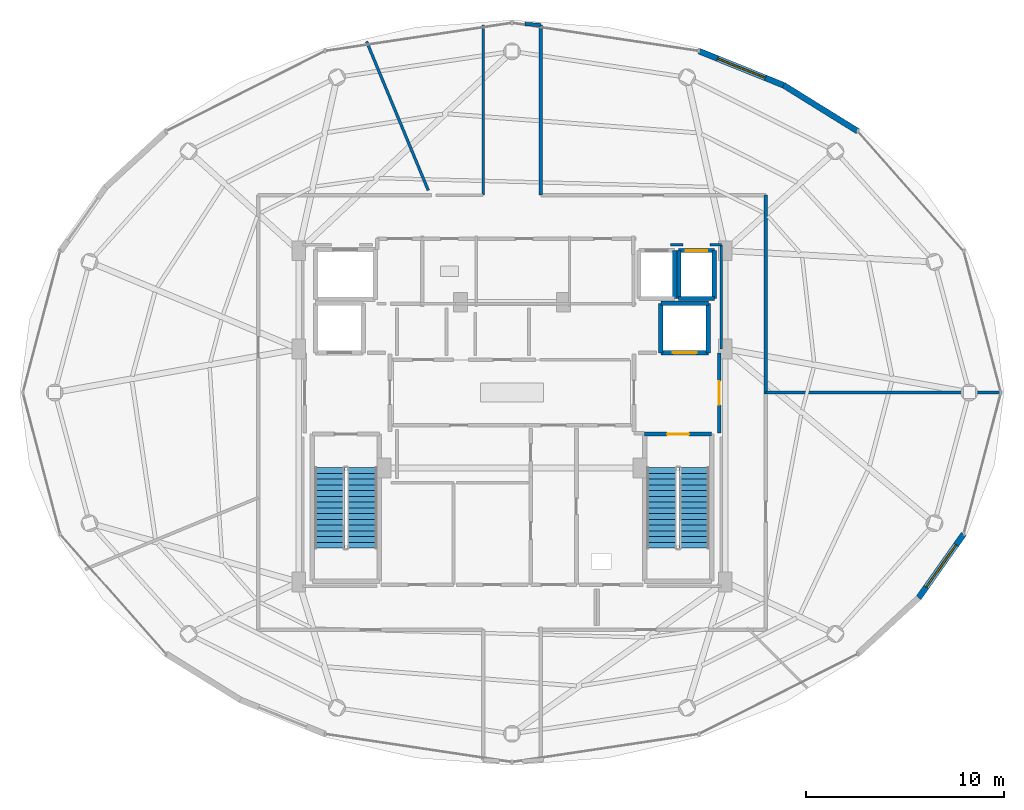
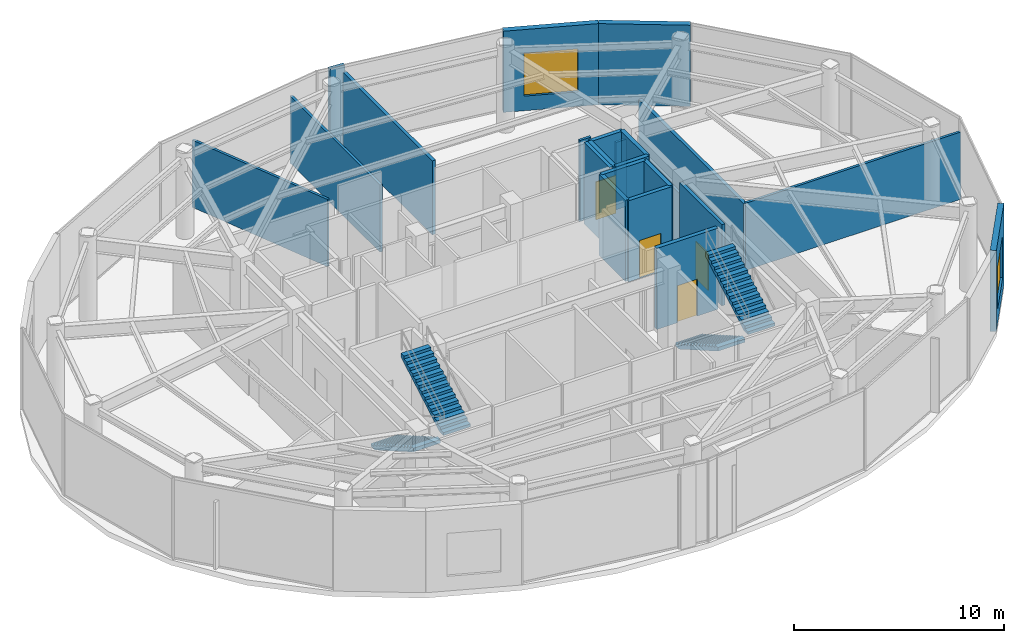
# One storey, part 22 of 24: 23 walls, 4 doors, 4 stair flights, 2 windows, 6 openings, 2 elements without a shape of their own.
"""IFC4 building model written with IfcOpenShell, lengths in metres."""

from ifc_helpers import new_model, si_unit, direction, frame, frame_2d, origin, place, context, subcontext, project, spatial, polyline, rectangle, outline, extrude, material, layer, layer_set, type_object, element, fill, aggregate, save


model = new_model("IFC4")

# Units and contexts
model_context = context("Model", 3, precision=1e-05, world=origin(), true_north=direction((0.0, 1.0)))
body_context = subcontext(model_context, "Body", "Model", "MODEL_VIEW")
ifc_project = project(units=[si_unit("LENGTHUNIT", "METRE"), si_unit("AREAUNIT", "SQUARE_METRE"), si_unit("VOLUMEUNIT", "CUBIC_METRE"), si_unit("PLANEANGLEUNIT", "RADIAN"), si_unit("MASSUNIT", "GRAM", prefix="KILO")], contexts=[model_context])

# Site, building, storey
site_placement = place(None, origin())
site = spatial("IfcSite", under=ifc_project, at=site_placement, CompositionType="ELEMENT")
building_placement = place(site_placement, origin())
building = spatial("IfcBuilding", under=site, at=building_placement, Name="Vorneva Point Tower", CompositionType="ELEMENT")
storey_placement = place(building_placement, frame((0.0, 0.0, 290.39990234375)))
storey = spatial("IfcBuildingStorey", under=building, at=storey_placement, Name="L78", CompositionType="ELEMENT", Elevation=290.39990234375)

# Wall, opening, door
ifc_material_1 = material(Name="Concrete B60 (C50/60)", Category="concrete")
ifc_layer_1 = layer(ifc_material_1, 0.35009765625)
ifc_layer_set_1 = layer_set([ifc_layer_1], Name="Concrete B60 (C50/60)")
wall_type_1 = type_object("IfcWallType", Name="WL-CORE-350", PredefinedType="SHEAR", material=ifc_layer_set_1)
wall_1_placement = place(storey_placement, frame((45.5, 28.0, 0.0), z_axis=(0.0, 0.0, 1.0), x_axis=(1.0, 0.0, 0.0)))
wall_1 = element("IfcWall", 1, at=wall_1_placement, inside=storey, type_object=wall_type_1, Name="L78 Lift FFL2 Shaft Wall -Y", PredefinedType="SHEAR", context=body_context, shape_type="SweptSolid", body=[
    extrude(rectangle(XDim=2.39990234375, YDim=0.219970703125, at=frame_2d((1.199951171875, 0.0))), origin(), (0.0, 0.0, 1.0), 4.72021484375),
])
opening_1_placement = place(wall_1_placement, frame((0.60009765625, 0.0, 0.0)))
opening_1 = element("IfcOpeningElement", 2, at=opening_1_placement, cuts=wall_1, Name="Opening LD-02", PredefinedType="OPENING", context=body_context, shape_type="SweptSolid", body=[
    extrude(rectangle(XDim=1.199951171875, YDim=2.199951171875, at=frame_2d((0.60009765625, 1.10009765625))), frame((0.0, 0.125, 0.0), z_axis=(0.0, -1.0, 0.0), x_axis=(1.0, 0.0, 0.0)), (0.0, 0.0, 1.0), 0.249755859375),
])
ifc_material_2 = material(Name="Brushed stainless steel S304", Category="steel")
door_type_1 = type_object("IfcDoorType", Name="LD-FIRE-1200", OperationType="SLIDING_TO_LEFT", PredefinedType="DOOR", material=ifc_material_2)
door_1_placement = place(opening_1_placement, origin())
door_1 = element("IfcDoor", 3, at=door_1_placement, inside=storey, type_object=door_type_1, Name="L78 Lift FFL2 Sliding Landing Door", OperationType="SLIDING_TO_LEFT", OverallHeight=2.199951171875, OverallWidth=1.199951171875, PredefinedType="DOOR", context=body_context, shape_type="SweptSolid", body=[
    extrude(rectangle(XDim=1.199951171875, YDim=2.199951171875, at=frame_2d((0.60009765625, 1.10009765625))), frame((0.0, 0.02490234375, 0.0), z_axis=(0.0, -1.0, 0.0), x_axis=(1.0, 0.0, 0.0)), (0.0, 0.0, 1.0), 0.050048828125),
])
fill(opening_1, door_1)

# Walls
wall_2_placement = place(storey_placement, frame((47.89990234375, 28.0, 0.0), z_axis=(0.0, 0.0, 1.0), x_axis=(0.0, 1.0, 0.0)))
element("IfcWall", 4, at=wall_2_placement, inside=storey, type_object=wall_type_1, Name="L78 Lift FFL2 Shaft Wall +X", PredefinedType="SHEAR", context=body_context, shape_type="SweptSolid", body=[
    extrude(rectangle(XDim=2.5, YDim=0.219970703125, at=frame_2d((1.25, 0.0))), origin(), (0.0, 0.0, 1.0), 4.72021484375),
])
wall_3_placement = place(storey_placement, frame((47.89990234375, 30.5, 0.0), z_axis=(0.0, 0.0, 1.0), x_axis=(-1.0, 0.0, 0.0)))
element("IfcWall", 5, at=wall_3_placement, inside=storey, type_object=wall_type_1, Name="L78 Lift FFL2 Shaft Wall +Y", PredefinedType="SHEAR", context=body_context, shape_type="SweptSolid", body=[
    extrude(rectangle(XDim=2.39990234375, YDim=0.219970703125, at=frame_2d((1.199951171875, 0.0))), origin(), (0.0, 0.0, 1.0), 4.72021484375),
])
wall_4_placement = place(storey_placement, frame((45.5, 30.5, 0.0), z_axis=(0.0, 0.0, 1.0), x_axis=(0.0, -1.0, 0.0)))
element("IfcWall", 6, at=wall_4_placement, inside=storey, type_object=wall_type_1, Name="L78 Lift FFL2 Shaft Wall -X", PredefinedType="SHEAR", context=body_context, shape_type="SweptSolid", body=[
    extrude(rectangle(XDim=2.5, YDim=0.219970703125, at=frame_2d((1.25, 0.0))), origin(), (0.0, 0.0, 1.0), 4.72021484375),
])
ifc_material_3 = material(Name="Precast concrete B50 (C40/50)", Category="concrete")
ifc_layer_2 = layer(ifc_material_3, 0.300048828125)
ifc_layer_set_2 = layer_set([ifc_layer_2], Name="Precast concrete B50 (C40/50)")
wall_type_2 = type_object("IfcWallType", Name="WL-EXT-300", PredefinedType="STANDARD", material=ifc_layer_set_2)
wall_5_placement = place(storey_placement, frame((55.43017578125, 39.17333984375, 0.0), z_axis=(0.0, 0.0, 1.0), x_axis=(-0.849803177952, 0.527100141096, 0.0)))
element("IfcWall", 7, at=wall_5_placement, inside=storey, type_object=wall_type_2, Name="L78 Pale-Metal Facade Spandrel Wall 03.1", PredefinedType="STANDARD", context=body_context, shape_type="SweptSolid", body=[
    extrude(rectangle(XDim=4.3955078125, YDim=0.300048828125, at=frame_2d((2.19775390625, 0.0))), origin(), (0.0, 0.0, 1.0), 4.72021484375),
])

# Wall, opening, window
wall_6_placement = place(storey_placement, frame((51.69482421875, 41.490234375, 0.0), z_axis=(0.0, 0.0, 1.0), x_axis=(-0.927196432407, 0.374575460663, 0.0)))
wall_6 = element("IfcWall", 8, at=wall_6_placement, inside=storey, type_object=wall_type_2, Name="L78 Pale-Metal Facade Spandrel Wall 03.2", PredefinedType="STANDARD", context=body_context, shape_type="SweptSolid", body=[
    extrude(rectangle(XDim=4.596435546875, YDim=0.300048828125, at=frame_2d((2.29833984375, 0.0))), origin(), (0.0, 0.0, 1.0), 4.72021484375),
])
opening_2_placement = place(wall_6_placement, frame((0.998291015625, 0.0, 0.85009765625)))
opening_2 = element("IfcOpeningElement", 9, at=opening_2_placement, cuts=wall_6, Name="Opening W-06", PredefinedType="OPENING", context=body_context, shape_type="SweptSolid", body=[
    extrude(rectangle(XDim=2.60009765625, YDim=2.5, at=frame_2d((1.300048828125, 1.25))), frame((0.0, 0.1650390625, 0.0), z_axis=(0.0, -1.0, 0.0), x_axis=(1.0, 0.0, 0.0)), (0.0, 0.0, 1.0), 0.329833984375),
])
ifc_material_4 = material(Name="Double low-e laminated glass IGU", Category="glass")
window_type = type_object("IfcWindowType", Name="WN-OBS-2600", PartitioningType="SINGLE_PANEL", PredefinedType="WINDOW", material=ifc_material_4)
window_1_placement = place(opening_2_placement, origin())
window_1 = element("IfcWindow", 10, at=window_1_placement, inside=storey, type_object=window_type, Name="L78 Facade Window 03", OverallHeight=2.5, OverallWidth=2.60009765625, PartitioningType="SINGLE_PANEL", PredefinedType="WINDOW", context=body_context, shape_type="SweptSolid", body=[
    extrude(rectangle(XDim=2.60009765625, YDim=2.5, at=frame_2d((1.300048828125, 1.25))), frame((0.0, 0.030029296875, 0.0), z_axis=(0.0, -1.0, 0.0), x_axis=(1.0, 0.0, 0.0)), (0.0, 0.0, 1.0), 0.06005859375),
])
fill(opening_2, window_1)

wall_7_placement = place(storey_placement, frame((58.49560546875, 15.649658203125, 0.0), z_axis=(0.0, 0.0, 1.0), x_axis=(0.577438563223, 0.816434140457, 0.0)))
wall_7 = element("IfcWall", 11, at=wall_7_placement, inside=storey, type_object=wall_type_2, Name="L78 Pale-Metal Facade Spandrel Wall 15.2", PredefinedType="STANDARD", context=body_context, shape_type="SweptSolid", body=[
    extrude(rectangle(XDim=3.945068359375, YDim=0.300048828125, at=frame_2d((1.97265625, 0.0))), origin(), (0.0, 0.0, 1.0), 4.72021484375),
])
opening_3_placement = place(wall_7_placement, frame((0.672607421875, 0.0, 0.85009765625)))
opening_3 = element("IfcOpeningElement", 12, at=opening_3_placement, cuts=wall_7, Name="Opening W-06", PredefinedType="OPENING", context=body_context, shape_type="SweptSolid", body=[
    extrude(rectangle(XDim=2.60009765625, YDim=2.5, at=frame_2d((1.300048828125, 1.25))), frame((0.0, 0.1650390625, 0.0), z_axis=(0.0, -1.0, 0.0), x_axis=(1.0, 0.0, 0.0)), (0.0, 0.0, 1.0), 0.329833984375),
])
window_2_placement = place(opening_3_placement, origin())
window_2 = element("IfcWindow", 13, at=window_2_placement, inside=storey, type_object=window_type, Name="L78 Facade Window 15", OverallHeight=2.5, OverallWidth=2.60009765625, PartitioningType="SINGLE_PANEL", PredefinedType="WINDOW", context=body_context, shape_type="SweptSolid", body=[
    extrude(rectangle(XDim=2.60009765625, YDim=2.5, at=frame_2d((1.300048828125, 1.25))), frame((0.0, 0.030029296875, 0.0), z_axis=(0.0, -1.0, 0.0), x_axis=(1.0, 0.0, 0.0)), (0.0, 0.0, 1.0), 0.06005859375),
])
fill(opening_3, window_2)

# Walls
ifc_material_5 = material(Name="Fire-rated acoustic gypsum stud partition", Category="gypsum")
ifc_layer_3 = layer(ifc_material_5, 0.139892578125)
ifc_layer_set_3 = layer_set([ifc_layer_3], Name="Fire-rated acoustic gypsum stud partition")
wall_type_3 = type_object("IfcWallType", Name="WL-PART-140", PredefinedType="PARTITIONING", material=ifc_layer_set_3)
wall_8_placement = place(storey_placement, frame((50.800048828125, 26.0, 0.0), z_axis=(0.0, 0.0, 1.0), x_axis=(1.0, 0.0, 0.0)))
element("IfcWall", 14, at=wall_8_placement, inside=storey, type_object=wall_type_3, Name="L78 Interior Partition 048", PredefinedType="PARTITIONING", context=body_context, shape_type="SweptSolid", body=[
    extrude(rectangle(XDim=11.848876953125, YDim=0.139892578125, at=frame_2d((5.92431640625, 0.0))), origin(), (0.0, 0.0, 1.0), 3.912109375),
])
wall_9_placement = place(storey_placement, frame((36.550048828125, 44.52099609375, 0.0), z_axis=(0.0, 0.0, 1.0), x_axis=(0.0, -1.0, 0.0)))
element("IfcWall", 15, at=wall_9_placement, inside=storey, type_object=wall_type_3, Name="L78 Interior Closure Partition 064", PredefinedType="PARTITIONING", context=body_context, shape_type="SweptSolid", body=[
    extrude(rectangle(XDim=8.571044921875, YDim=0.139892578125, at=frame_2d((4.28564453125, 0.0))), origin(), (0.0, 0.0, 1.0), 3.912109375),
])
wall_10_placement = place(storey_placement, frame((48.550048828125, 28.196044921875, 0.0), z_axis=(0.0, 0.0, 1.0), x_axis=(0.0, 1.0, 0.0)))
element("IfcWall", 16, at=wall_10_placement, inside=storey, type_object=wall_type_3, Name="L78 Interior Closure Partition 069", PredefinedType="PARTITIONING", context=body_context, shape_type="SweptSolid", body=[
    extrude(rectangle(XDim=5.25390625, YDim=0.139892578125, at=frame_2d((2.626953125, 0.0))), origin(), (0.0, 0.0, 1.0), 3.912109375),
])
wall_11_placement = place(storey_placement, frame((48.550048828125, 33.449951171875, 0.0), z_axis=(0.0, 0.0, 1.0), x_axis=(-1.0, 0.0, 0.0)))
element("IfcWall", 17, at=wall_11_placement, inside=storey, type_object=wall_type_3, Name="L78 Interior Closure Partition 070", PredefinedType="PARTITIONING", context=body_context, shape_type="SweptSolid", body=[
    extrude(rectangle(XDim=0.55908203125, YDim=0.139892578125, at=frame_2d((0.279541015625, 0.0))), origin(), (0.0, 0.0, 1.0), 3.912109375),
])
wall_12_placement = place(storey_placement, frame((46.60888671875, 33.449951171875, 0.0), z_axis=(0.0, 0.0, 1.0), x_axis=(-1.0, 0.0, 0.0)))
element("IfcWall", 18, at=wall_12_placement, inside=storey, type_object=wall_type_3, Name="L78 Interior Closure Partition 071", PredefinedType="PARTITIONING", context=body_context, shape_type="SweptSolid", body=[
    extrude(rectangle(XDim=0.617919921875, YDim=0.139892578125, at=frame_2d((0.30908203125, 0.0))), origin(), (0.0, 0.0, 1.0), 4.72021484375),
])
wall_13_placement = place(storey_placement, frame((33.779052734375, 36.19091796875, 0.0), z_axis=(0.0, 0.0, 1.0), x_axis=(-0.382750958464, 0.923851559394, 0.0)))
element("IfcWall", 19, at=wall_13_placement, inside=storey, type_object=wall_type_3, Name="L78 Interior Closure Partition 078", PredefinedType="PARTITIONING", context=body_context, shape_type="SweptSolid", body=[
    extrude(rectangle(XDim=8.12060546875, YDim=0.139892578125, at=frame_2d((4.060302734375, 0.0))), origin(), (0.0, 0.0, 1.0), 3.912109375),
])

# Wall, opening, door
ifc_material_6 = material(Name="Autoclaved aerated concrete blockwork", Category="masonry")
ifc_layer_4 = layer(ifc_material_6, 0.179931640625)
ifc_layer_set_4 = layer_set([ifc_layer_4], Name="Autoclaved aerated concrete blockwork")
wall_type_4 = type_object("IfcWallType", Name="WL-PART-180", PredefinedType="PARTITIONING", material=ifc_layer_set_4)
wall_14_placement = place(storey_placement, frame((48.449951171875, 23.949951171875, 0.0), z_axis=(0.0, 0.0, 1.0), x_axis=(0.0, 1.0, 0.0)))
wall_14 = element("IfcWall", 20, at=wall_14_placement, inside=storey, type_object=wall_type_4, Name="L78 Interior Partition 005", PredefinedType="PARTITIONING", context=body_context, shape_type="SweptSolid", body=[
    extrude(rectangle(XDim=4.050048828125, YDim=0.179931640625, at=frame_2d((2.02490234375, 0.0))), origin(), (0.0, 0.0, 1.0), 4.72021484375),
])
opening_4_placement = place(wall_14_placement, frame((1.425048828125, 0.0, 0.0)))
opening_4 = element("IfcOpeningElement", 21, at=opening_4_placement, cuts=wall_14, Name="Opening FD-02", PredefinedType="OPENING", context=body_context, shape_type="SweptSolid", body=[
    extrude(rectangle(XDim=1.199951171875, YDim=2.14990234375, at=frame_2d((0.60009765625, 1.074951171875))), frame((0.0, 0.10498046875, 0.0), z_axis=(0.0, -1.0, 0.0), x_axis=(1.0, 0.0, 0.0)), (0.0, 0.0, 1.0), 0.209716796875),
])
ifc_material_7 = material(Name="Fire-rated powder-coated steel", Category="steel")
door_type_2 = type_object("IfcDoorType", Name="DR-FFL-1200", OperationType="NOTDEFINED", PredefinedType="DOOR", material=ifc_material_7)
door_2_placement = place(opening_4_placement, origin())
door_2 = element("IfcDoor", 22, at=door_2_placement, inside=storey, type_object=door_type_2, Name="L78 Door East Firefighting Lobby / L78 Circulation Corridor", OperationType="SINGLE_SWING_LEFT", OverallHeight=2.14990234375, OverallWidth=1.199951171875, PredefinedType="DOOR", context=body_context, shape_type="SweptSolid", body=[
    extrude(rectangle(XDim=1.199951171875, YDim=2.14990234375, at=frame_2d((0.60009765625, 1.074951171875))), frame((0.0, 0.02490234375, 0.0), z_axis=(0.0, -1.0, 0.0), x_axis=(1.0, 0.0, 0.0)), (0.0, 0.0, 1.0), 0.050048828125),
])
fill(opening_4, door_2)

# Walls
wall_15_placement = place(storey_placement, frame((39.449951171875, 44.52099609375, 0.0), z_axis=(0.0, 0.0, 1.0), x_axis=(-0.997215374878, 0.074575439036, 0.0)))
element("IfcWall", 23, at=wall_15_placement, inside=storey, type_object=wall_type_4, Name="L78 Interior Partition 033", PredefinedType="PARTITIONING", context=body_context, shape_type="SweptSolid", body=[
    extrude(rectangle(XDim=0.792236328125, YDim=0.179931640625, at=frame_2d((0.39599609375, 0.0))), origin(), (0.0, 0.0, 1.0), 4.72021484375),
])
wall_16_placement = place(storey_placement, frame((50.800048828125, 25.93994140625, 0.0), z_axis=(0.0, 0.0, 1.0), x_axis=(0.0, 1.0, 0.0)))
element("IfcWall", 24, at=wall_16_placement, inside=storey, type_object=wall_type_4, Name="L78 Interior Partition 034", PredefinedType="PARTITIONING", context=body_context, shape_type="SweptSolid", body=[
    extrude(rectangle(XDim=10.010009765625, YDim=0.179931640625, at=frame_2d((5.0048828125, 0.0))), origin(), (0.0, 0.0, 1.0), 3.912109375),
])
wall_17_placement = place(storey_placement, frame((39.449951171875, 35.949951171875, 0.0), z_axis=(0.0, 0.0, 1.0), x_axis=(0.0, 1.0, 0.0)))
element("IfcWall", 25, at=wall_17_placement, inside=storey, type_object=wall_type_4, Name="L78 Interior Partition 036", PredefinedType="PARTITIONING", context=body_context, shape_type="SweptSolid", body=[
    extrude(rectangle(XDim=8.571044921875, YDim=0.179931640625, at=frame_2d((4.28564453125, 0.0))), origin(), (0.0, 0.0, 1.0), 4.30419921875),
])

# Wall, opening, door
ifc_material_8 = material(Name="Concrete B50 (C40/50)", Category="concrete")
ifc_layer_5 = layer(ifc_material_8, 0.219970703125)
ifc_layer_set_5 = layer_set([ifc_layer_5], Name="Concrete B50 (C40/50)")
wall_type_5 = type_object("IfcWallType", Name="WL-SHFT-220", PredefinedType="SOLIDWALL", material=ifc_layer_set_5)
wall_18_placement = place(storey_placement, frame((44.68994140625, 23.909912109375, 0.0), z_axis=(0.0, 0.0, 1.0), x_axis=(1.0, 0.0, 0.0)))
wall_18 = element("IfcWall", 26, at=wall_18_placement, inside=storey, type_object=wall_type_5, Name="L78 Exit Stair ST2 Shaft Wall near", PredefinedType="SOLIDWALL", context=body_context, shape_type="SweptSolid", body=[
    extrude(rectangle(XDim=3.3701171875, YDim=0.219970703125, at=frame_2d((1.68505859375, 0.0))), origin(), (0.0, 0.0, 1.0), 4.72021484375),
])
opening_5_placement = place(wall_18_placement, frame((1.135009765625, 0.0, 0.0)))
opening_5 = element("IfcOpeningElement", 27, at=opening_5_placement, cuts=wall_18, Name="Opening FD-01", PredefinedType="OPENING", context=body_context, shape_type="SweptSolid", body=[
    extrude(rectangle(XDim=1.10009765625, YDim=2.14990234375, at=frame_2d((0.550048828125, 1.074951171875))), frame((0.0, 0.125, 0.0), z_axis=(0.0, -1.0, 0.0), x_axis=(1.0, 0.0, 0.0)), (0.0, 0.0, 1.0), 0.249755859375),
])
door_type_3 = type_object("IfcDoorType", Name="DR-STAIR-1100", OperationType="NOTDEFINED", PredefinedType="DOOR", material=ifc_material_7)
door_3_placement = place(opening_5_placement, origin())
door_3 = element("IfcDoor", 28, at=door_3_placement, inside=storey, type_object=door_type_3, Name="L78 Exit Stair ST2 Fire Door", OperationType="SINGLE_SWING_LEFT", OverallHeight=2.14990234375, OverallWidth=1.10009765625, PredefinedType="DOOR", context=body_context, shape_type="SweptSolid", body=[
    extrude(rectangle(XDim=1.10009765625, YDim=2.14990234375, at=frame_2d((0.550048828125, 1.074951171875))), frame((0.0, 0.02490234375, 0.0), z_axis=(0.0, -1.0, 0.0), x_axis=(1.0, 0.0, 0.0)), (0.0, 0.0, 1.0), 0.050048828125),
])
fill(opening_5, door_3)

# Walls
wall_19_placement = place(storey_placement, frame((46.199951171875, 30.739990234375, 0.0), z_axis=(0.0, 0.0, 1.0), x_axis=(0.0, 1.0, 0.0)))
element("IfcWall", 29, at=wall_19_placement, inside=storey, type_object=wall_type_5, Name="L78 Lift EX1 Shaft Wall +X", PredefinedType="SOLIDWALL", context=body_context, shape_type="SweptSolid", body=[
    extrude(rectangle(XDim=2.419921875, YDim=0.219970703125, at=frame_2d((1.2099609375, 0.0))), origin(), (0.0, 0.0, 1.0), 4.72021484375),
])
wall_20_placement = place(storey_placement, frame((46.39990234375, 30.739990234375, 0.0), z_axis=(0.0, 0.0, 1.0), x_axis=(1.0, 0.0, 0.0)))
element("IfcWall", 30, at=wall_20_placement, inside=storey, type_object=wall_type_5, Name="L78 Lift EX2 Shaft Wall -Y", PredefinedType="SOLIDWALL", context=body_context, shape_type="SweptSolid", body=[
    extrude(rectangle(XDim=1.800048828125, YDim=0.219970703125, at=frame_2d((0.89990234375, 0.0))), origin(), (0.0, 0.0, 1.0), 4.72021484375),
])
wall_21_placement = place(storey_placement, frame((48.199951171875, 30.739990234375, 0.0), z_axis=(0.0, 0.0, 1.0), x_axis=(0.0, 1.0, 0.0)))
element("IfcWall", 31, at=wall_21_placement, inside=storey, type_object=wall_type_5, Name="L78 Lift EX2 Shaft Wall +X", PredefinedType="SOLIDWALL", context=body_context, shape_type="SweptSolid", body=[
    extrude(rectangle(XDim=2.419921875, YDim=0.219970703125, at=frame_2d((1.2099609375, 0.0))), origin(), (0.0, 0.0, 1.0), 4.72021484375),
])

# Wall, opening, door
wall_22_placement = place(storey_placement, frame((48.199951171875, 33.159912109375, 0.0), z_axis=(0.0, 0.0, 1.0), x_axis=(-1.0, 0.0, 0.0)))
wall_22 = element("IfcWall", 32, at=wall_22_placement, inside=storey, type_object=wall_type_5, Name="L78 Lift EX2 Shaft Wall +Y", PredefinedType="SOLIDWALL", context=body_context, shape_type="SweptSolid", body=[
    extrude(rectangle(XDim=1.800048828125, YDim=0.219970703125, at=frame_2d((0.89990234375, 0.0))), origin(), (0.0, 0.0, 1.0), 4.72021484375),
])
opening_6_placement = place(wall_22_placement, frame((0.35009765625, 0.0, 0.0)))
opening_6 = element("IfcOpeningElement", 33, at=opening_6_placement, cuts=wall_22, Name="Opening LD-01", PredefinedType="OPENING", context=body_context, shape_type="SweptSolid", body=[
    extrude(rectangle(XDim=1.10009765625, YDim=2.199951171875, at=frame_2d((0.550048828125, 1.10009765625))), frame((0.0, 0.125, 0.0), z_axis=(0.0, -1.0, 0.0), x_axis=(1.0, 0.0, 0.0)), (0.0, 0.0, 1.0), 0.249755859375),
])
door_type_4 = type_object("IfcDoorType", Name="LD-PASS-1100", OperationType="SLIDING_TO_LEFT", PredefinedType="DOOR", material=ifc_material_2)
door_4_placement = place(opening_6_placement, origin())
door_4 = element("IfcDoor", 34, at=door_4_placement, inside=storey, type_object=door_type_4, Name="L78 Lift EX2 Sliding Landing Door", OperationType="SLIDING_TO_LEFT", OverallHeight=2.199951171875, OverallWidth=1.10009765625, PredefinedType="DOOR", context=body_context, shape_type="SweptSolid", body=[
    extrude(rectangle(XDim=1.10009765625, YDim=2.199951171875, at=frame_2d((0.550048828125, 1.10009765625))), frame((0.0, 0.02490234375, 0.0), z_axis=(0.0, -1.0, 0.0), x_axis=(1.0, 0.0, 0.0)), (0.0, 0.0, 1.0), 0.050048828125),
])
fill(opening_6, door_4)

# Wall
wall_23_placement = place(storey_placement, frame((46.39990234375, 33.159912109375, 0.0), z_axis=(0.0, 0.0, 1.0), x_axis=(0.0, -1.0, 0.0)))
element("IfcWall", 35, at=wall_23_placement, inside=storey, type_object=wall_type_5, Name="L78 Lift EX2 Shaft Wall -X", PredefinedType="SOLIDWALL", context=body_context, shape_type="SweptSolid", body=[
    extrude(rectangle(XDim=2.419921875, YDim=0.219970703125, at=frame_2d((1.2099609375, 0.0))), origin(), (0.0, 0.0, 1.0), 4.72021484375),
])

# Stair, stair flights
stair_type = type_object("IfcStairType", Name="ST-DOG-1500", PredefinedType="HALF_TURN_STAIR", material=ifc_material_8)
stair_1_placement = place(storey_placement, origin())
stair_1 = element("IfcStair", 36, at=stair_1_placement, inside=storey, type_object=stair_type, Name="L78 ST1", PredefinedType="HALF_TURN_STAIR")
stair_flight_type = type_object("IfcStairFlightType", Name="STF-1500", PredefinedType="STRAIGHT", material=ifc_material_8)
stair_flight_1_placement = place(storey_placement, frame((28.800048828125, 22.219970703125, 0.0), z_axis=(0.0, 0.0, 1.0), x_axis=(0.0, -1.0, 0.0)))
stair_flight_1 = element("IfcStairFlight", 37, at=stair_flight_1_placement, type_object=stair_flight_type, Name="ST1 flight 1", NumberOfRisers=15, NumberOfTreads=14, PredefinedType="STRAIGHT", RiserHeight=0.166666667, TreadLength=0.29, context=body_context, shape_type="SweptSolid", body=[
    extrude(outline(polyline([(0.0, 0.0), (0.0, 0.166748046875), (0.2900390625, 0.166748046875), (0.2900390625, 0.333251953125), (0.580078125, 0.333251953125), (0.580078125, 0.5), (0.8701171875, 0.5), (0.8701171875, 0.666748046875), (1.159912109375, 0.666748046875), (1.159912109375, 0.833251953125), (1.449951171875, 0.833251953125), (1.449951171875, 1.0), (1.739990234375, 1.0), (1.739990234375, 1.166748046875), (2.030029296875, 1.166748046875), (2.030029296875, 1.333251953125), (2.320068359375, 1.333251953125), (2.320068359375, 1.5), (2.610107421875, 1.5), (2.610107421875, 1.666748046875), (2.89990234375, 1.666748046875), (2.89990234375, 1.833251953125), (3.18994140625, 1.833251953125), (3.18994140625, 2.0), (3.47998046875, 2.0), (3.47998046875, 2.166748046875), (3.77001953125, 2.166748046875), (3.77001953125, 2.333251953125), (4.06005859375, 2.333251953125), (4.06005859375, 2.5), (4.06005859375, 2.125732421875), (0.361083984375, 0.0), (0.0, 0.0)])), frame((0.0, 0.75, 0.0), z_axis=(0.0, -1.0, 0.0), x_axis=(1.0, 0.0, 0.0)), (0.0, 0.0, 1.0), 1.5),
])
stair_flight_2_placement = place(storey_placement, frame((30.449951171875, 18.159912109375, 2.5), z_axis=(0.0, 0.0, 1.0), x_axis=(0.0, 1.0, 0.0)))
stair_flight_2 = element("IfcStairFlight", 38, at=stair_flight_2_placement, type_object=stair_flight_type, Name="ST1 flight 2", NumberOfRisers=15, NumberOfTreads=14, PredefinedType="STRAIGHT", RiserHeight=0.166666667, TreadLength=0.29, context=body_context, shape_type="SweptSolid", body=[
    extrude(outline(polyline([(0.0, 0.0), (0.0, 0.166748046875), (0.2900390625, 0.166748046875), (0.2900390625, 0.333251953125), (0.580078125, 0.333251953125), (0.580078125, 0.5), (0.8701171875, 0.5), (0.8701171875, 0.666748046875), (1.159912109375, 0.666748046875), (1.159912109375, 0.833251953125), (1.449951171875, 0.833251953125), (1.449951171875, 1.0), (1.739990234375, 1.0), (1.739990234375, 1.166748046875), (2.030029296875, 1.166748046875), (2.030029296875, 1.333251953125), (2.320068359375, 1.333251953125), (2.320068359375, 1.5), (2.610107421875, 1.5), (2.610107421875, 1.666748046875), (2.89990234375, 1.666748046875), (2.89990234375, 1.833251953125), (3.18994140625, 1.833251953125), (3.18994140625, 2.0), (3.47998046875, 2.0), (3.47998046875, 2.166748046875), (3.77001953125, 2.166748046875), (3.77001953125, 2.333251953125), (4.06005859375, 2.333251953125), (4.06005859375, 2.5), (4.06005859375, 2.125732421875), (0.361083984375, 0.0), (0.0, 0.0)])), frame((0.0, 0.75, 0.0), z_axis=(0.0, -1.0, 0.0), x_axis=(1.0, 0.0, 0.0)), (0.0, 0.0, 1.0), 1.5),
])
aggregate(stair_1, [stair_flight_1, stair_flight_2])

stair_2_placement = place(storey_placement, origin())
stair_2 = element("IfcStair", 39, at=stair_2_placement, inside=storey, type_object=stair_type, Name="L78 ST2", PredefinedType="HALF_TURN_STAIR")
stair_flight_3_placement = place(storey_placement, frame((45.550048828125, 22.219970703125, 0.0), z_axis=(0.0, 0.0, 1.0), x_axis=(0.0, -1.0, 0.0)))
stair_flight_3 = element("IfcStairFlight", 40, at=stair_flight_3_placement, type_object=stair_flight_type, Name="ST2 flight 1", NumberOfRisers=15, NumberOfTreads=14, PredefinedType="STRAIGHT", RiserHeight=0.166666667, TreadLength=0.29, context=body_context, shape_type="SweptSolid", body=[
    extrude(outline(polyline([(0.0, 0.0), (0.0, 0.166748046875), (0.2900390625, 0.166748046875), (0.2900390625, 0.333251953125), (0.580078125, 0.333251953125), (0.580078125, 0.5), (0.8701171875, 0.5), (0.8701171875, 0.666748046875), (1.159912109375, 0.666748046875), (1.159912109375, 0.833251953125), (1.449951171875, 0.833251953125), (1.449951171875, 1.0), (1.739990234375, 1.0), (1.739990234375, 1.166748046875), (2.030029296875, 1.166748046875), (2.030029296875, 1.333251953125), (2.320068359375, 1.333251953125), (2.320068359375, 1.5), (2.610107421875, 1.5), (2.610107421875, 1.666748046875), (2.89990234375, 1.666748046875), (2.89990234375, 1.833251953125), (3.18994140625, 1.833251953125), (3.18994140625, 2.0), (3.47998046875, 2.0), (3.47998046875, 2.166748046875), (3.77001953125, 2.166748046875), (3.77001953125, 2.333251953125), (4.06005859375, 2.333251953125), (4.06005859375, 2.5), (4.06005859375, 2.125732421875), (0.361083984375, 0.0), (0.0, 0.0)])), frame((0.0, 0.75, 0.0), z_axis=(0.0, -1.0, 0.0), x_axis=(1.0, 0.0, 0.0)), (0.0, 0.0, 1.0), 1.5),
])
stair_flight_4_placement = place(storey_placement, frame((47.199951171875, 18.159912109375, 2.5), z_axis=(0.0, 0.0, 1.0), x_axis=(0.0, 1.0, 0.0)))
stair_flight_4 = element("IfcStairFlight", 41, at=stair_flight_4_placement, type_object=stair_flight_type, Name="ST2 flight 2", NumberOfRisers=15, NumberOfTreads=14, PredefinedType="STRAIGHT", RiserHeight=0.166666667, TreadLength=0.29, context=body_context, shape_type="SweptSolid", body=[
    extrude(outline(polyline([(0.0, 0.0), (0.0, 0.166748046875), (0.2900390625, 0.166748046875), (0.2900390625, 0.333251953125), (0.580078125, 0.333251953125), (0.580078125, 0.5), (0.8701171875, 0.5), (0.8701171875, 0.666748046875), (1.159912109375, 0.666748046875), (1.159912109375, 0.833251953125), (1.449951171875, 0.833251953125), (1.449951171875, 1.0), (1.739990234375, 1.0), (1.739990234375, 1.166748046875), (2.030029296875, 1.166748046875), (2.030029296875, 1.333251953125), (2.320068359375, 1.333251953125), (2.320068359375, 1.5), (2.610107421875, 1.5), (2.610107421875, 1.666748046875), (2.89990234375, 1.666748046875), (2.89990234375, 1.833251953125), (3.18994140625, 1.833251953125), (3.18994140625, 2.0), (3.47998046875, 2.0), (3.47998046875, 2.166748046875), (3.77001953125, 2.166748046875), (3.77001953125, 2.333251953125), (4.06005859375, 2.333251953125), (4.06005859375, 2.5), (4.06005859375, 2.125732421875), (0.361083984375, 0.0), (0.0, 0.0)])), frame((0.0, 0.75, 0.0), z_axis=(0.0, -1.0, 0.0), x_axis=(1.0, 0.0, 0.0)), (0.0, 0.0, 1.0), 1.5),
])
aggregate(stair_2, [stair_flight_3, stair_flight_4])

save(model, "model.ifc")
